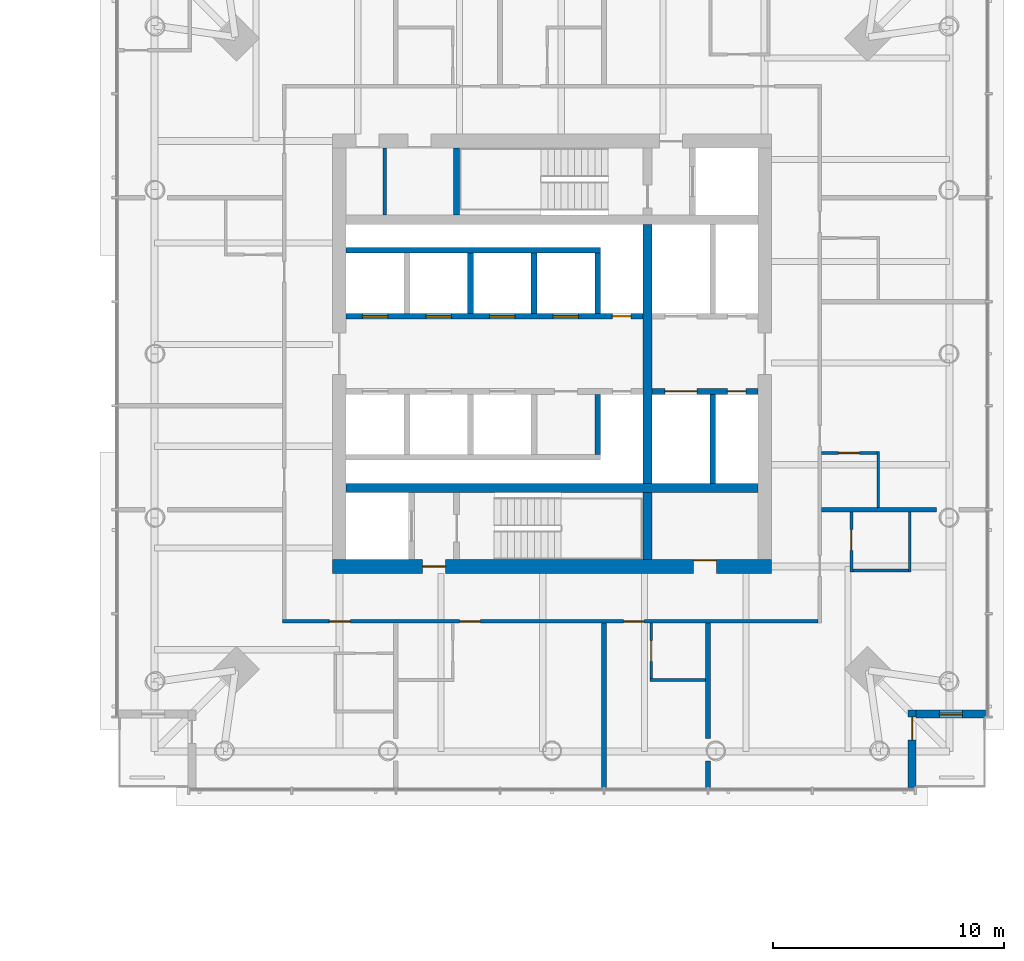
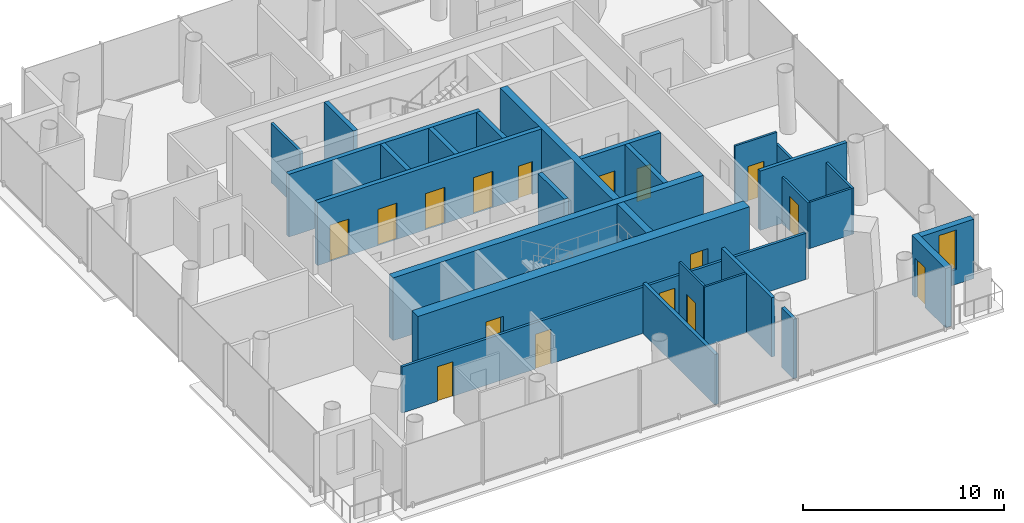
# One storey, part 13 of 22: 28 walls, 16 doors, 1 window, 17 openings.
"""IFC4 building model written with IfcOpenShell, lengths in metres."""

from ifc_helpers import new_model, si_unit, direction, frame, frame_2d, origin, place, context, subcontext, project, spatial, rectangle, extrude, material, layer, layer_set, type_object, element, fill, save


model = new_model("IFC4")

# Units and contexts
model_context = context("Model", 3, precision=1e-05, world=origin(), true_north=direction((0.0, 1.0)))
body_context = subcontext(model_context, "Body", "Model", "MODEL_VIEW")
ifc_project = project(units=[si_unit("LENGTHUNIT", "METRE"), si_unit("AREAUNIT", "SQUARE_METRE"), si_unit("VOLUMEUNIT", "CUBIC_METRE"), si_unit("PLANEANGLEUNIT", "RADIAN"), si_unit("MASSUNIT", "GRAM", prefix="KILO")], contexts=[model_context])

# Site, building, storey
site_placement = place(None, origin())
site = spatial("IfcSite", under=ifc_project, at=site_placement, CompositionType="ELEMENT")
building_placement = place(site_placement, origin())
building = spatial("IfcBuilding", under=site, at=building_placement, Name="Ostroluk Exchange", CompositionType="ELEMENT")
storey_placement = place(building_placement, frame((0.0, 0.0, 62.800048828125)))
storey = spatial("IfcBuildingStorey", under=building, at=storey_placement, Name="L15", CompositionType="ELEMENT", Elevation=62.800048828125)

# Walls
ifc_material_1 = material(Name="Concrete blockwork", Category="masonry")
ifc_layer_1 = layer(ifc_material_1, 0.14990234375)
ifc_layer_set_1 = layer_set([ifc_layer_1], Name="Blockwork plant room wall 150")
wall_type_1 = type_object("IfcWallType", Name="Blockwork plant room wall 150", PredefinedType="SOLIDWALL", material=ifc_layer_set_1)
wall_1_placement = place(storey_placement, frame((109.77392578125, 52.0, 0.0), z_axis=(0.0, 0.0, 1.0), x_axis=(0.0, 1.0, 0.0)))
element("IfcWall", 1, at=wall_1_placement, inside=storey, type_object=wall_type_1, Name="Core room wall", PredefinedType="SOLIDWALL", context=body_context, shape_type="SweptSolid", body=[
    extrude(rectangle(XDim=2.89990234375, YDim=0.14990234375, at=frame_2d((1.449951171875, 0.0))), origin(), (0.0, 0.0, 1.0), 3.599853515625),
])
ifc_material_2 = material(Name="Concrete C50/60", Category="concrete")
ifc_layer_2 = layer(ifc_material_2, 0.39990234375)
ifc_layer_set_2 = layer_set([ifc_layer_2], Name="Core cross wall 400 C50/60")
wall_type_2 = type_object("IfcWallType", Name="Core cross wall 400 C50/60", PredefinedType="SHEAR", material=ifc_layer_set_2)
wall_2_placement = place(storey_placement, frame((108.10009765625, 40.199951171875, 0.0), z_axis=(0.0, 0.0, 1.0), x_axis=(1.0, 0.0, 0.0)))
element("IfcWall", 2, at=wall_2_placement, inside=storey, type_object=wall_type_2, Name="T2 core wall XS", PredefinedType="SHEAR", context=body_context, shape_type="SweptSolid", body=[
    extrude(rectangle(XDim=17.7998046875, YDim=0.39990234375, at=frame_2d((8.89990234375, 0.0))), origin(), (0.0, 0.0, 1.0), 3.800048828125),
])
wall_3_placement = place(storey_placement, frame((121.1298828125, 37.10009765625, 0.0), z_axis=(0.0, 0.0, 1.0), x_axis=(0.0, 1.0, 0.0)))
element("IfcWall", 3, at=wall_3_placement, inside=storey, type_object=wall_type_2, Name="T2 core wall YE1", PredefinedType="SHEAR", context=body_context, shape_type="SweptSolid", body=[
    extrude(rectangle(XDim=2.89990234375, YDim=0.39990234375, at=frame_2d((1.449951171875, 0.0))), origin(), (0.0, 0.0, 1.0), 3.800048828125),
])
wall_4_placement = place(storey_placement, frame((121.1298828125, 40.39990234375, 0.0), z_axis=(0.0, 0.0, 1.0), x_axis=(0.0, 1.0, 0.0)))
element("IfcWall", 4, at=wall_4_placement, inside=storey, type_object=wall_type_2, Name="T2 core wall YE2", PredefinedType="SHEAR", context=body_context, shape_type="SweptSolid", body=[
    extrude(rectangle(XDim=11.2001953125, YDim=0.39990234375, at=frame_2d((5.60009765625, 0.0))), origin(), (0.0, 0.0, 1.0), 3.800048828125),
])
ifc_material_3 = material(Name="Concrete C40/50", Category="concrete")
ifc_layer_3 = layer(ifc_material_3, 0.25)
ifc_layer_set_3 = layer_set([ifc_layer_3], Name="Core shaft wall 250")
wall_type_3 = type_object("IfcWallType", Name="Core shaft wall 250", PredefinedType="SHEAR", material=ifc_layer_set_3)
wall_5_placement = place(storey_placement, frame((112.875, 52.0, 0.0), z_axis=(0.0, 0.0, 1.0), x_axis=(0.0, 1.0, 0.0)))
element("IfcWall", 5, at=wall_5_placement, inside=storey, type_object=wall_type_3, Name="Stair shaft wall", PredefinedType="SHEAR", context=body_context, shape_type="SweptSolid", body=[
    extrude(rectangle(XDim=2.89990234375, YDim=0.25, at=frame_2d((1.449951171875, 0.0))), origin(), (0.0, 0.0, 1.0), 3.800048828125),
])
for number, where, z_axis, x_axis, name in (
    (6, (113.47509765625, 47.75, 0.0), (0.0, 0.0, 1.0), (0.0, 1.0, 0.0), "Lift shaft wall"),
    (7, (116.22509765625, 47.75, 0.0), (0.0, 0.0, 1.0), (0.0, 1.0, 0.0), "Lift shaft wall"),
    (8, (118.97509765625, 47.75, 0.0), (0.0, 0.0, 1.0), (0.0, 1.0, 0.0), "Lift shaft wall"),
):
    element("IfcWall", number, at=place(storey_placement, frame(where, z_axis=z_axis, x_axis=x_axis)), inside=storey, type_object=wall_type_3, Name=name, PredefinedType="SHEAR", context=body_context, shape_type="SweptSolid", body=[
        extrude(rectangle(XDim=2.60009765625, YDim=0.25, at=frame_2d((1.300048828125, 0.0))), origin(), (0.0, 0.0, 1.0), 3.800048828125),
    ])
wall_6_placement = place(storey_placement, frame((108.10009765625, 50.47509765625, 0.0), z_axis=(0.0, 0.0, 1.0), x_axis=(1.0, 0.0, 0.0)))
element("IfcWall", 9, at=wall_6_placement, inside=storey, type_object=wall_type_3, Name="Lift shaft wall", PredefinedType="SHEAR", context=body_context, shape_type="SweptSolid", body=[
    extrude(rectangle(XDim=11.0, YDim=0.25, at=frame_2d((5.5, 0.0))), origin(), (0.0, 0.0, 1.0), 3.800048828125),
])

# Wall, openings, doors
wall_7_placement = place(storey_placement, frame((108.10009765625, 47.625, 0.0), z_axis=(0.0, 0.0, 1.0), x_axis=(1.0, 0.0, 0.0)))
wall_7 = element("IfcWall", 10, at=wall_7_placement, inside=storey, type_object=wall_type_3, Name="Lift shaft front wall", PredefinedType="SHEAR", context=body_context, shape_type="SweptSolid", body=[
    extrude(rectangle(XDim=12.829833984375, YDim=0.25, at=frame_2d((6.4150390625, 0.0))), origin(), (0.0, 0.0, 1.0), 3.800048828125),
])
opening_1_placement = place(wall_7_placement, frame((0.699951171875, 0.0, 0.0)))
opening_1 = element("IfcOpeningElement", 11, at=opening_1_placement, cuts=wall_7, Name="Opening LD", PredefinedType="OPENING", context=body_context, shape_type="SweptSolid", body=[
    extrude(rectangle(XDim=1.10009765625, YDim=2.199951171875, at=frame_2d((0.550048828125, 1.10009765625))), frame((0.0, 0.135009765625, 0.0), z_axis=(0.0, -1.0, 0.0), x_axis=(1.0, 0.0, 0.0)), (0.0, 0.0, 1.0), 0.27001953125),
])
opening_2_placement = place(wall_7_placement, frame((3.449951171875, 0.0, 0.0)))
opening_2 = element("IfcOpeningElement", 12, at=opening_2_placement, cuts=wall_7, Name="Opening LD", PredefinedType="OPENING", context=body_context, shape_type="SweptSolid", body=[
    extrude(rectangle(XDim=1.10009765625, YDim=2.199951171875, at=frame_2d((0.550048828125, 1.10009765625))), frame((0.0, 0.135009765625, 0.0), z_axis=(0.0, -1.0, 0.0), x_axis=(1.0, 0.0, 0.0)), (0.0, 0.0, 1.0), 0.27001953125),
])
opening_3_placement = place(wall_7_placement, frame((6.199951171875, 0.0, 0.0)))
opening_3 = element("IfcOpeningElement", 13, at=opening_3_placement, cuts=wall_7, Name="Opening LD", PredefinedType="OPENING", context=body_context, shape_type="SweptSolid", body=[
    extrude(rectangle(XDim=1.10009765625, YDim=2.199951171875, at=frame_2d((0.550048828125, 1.10009765625))), frame((0.0, 0.135009765625, 0.0), z_axis=(0.0, -1.0, 0.0), x_axis=(1.0, 0.0, 0.0)), (0.0, 0.0, 1.0), 0.27001953125),
])
opening_4_placement = place(wall_7_placement, frame((8.949951171875, 0.0, 0.0)))
opening_4 = element("IfcOpeningElement", 14, at=opening_4_placement, cuts=wall_7, Name="Opening LD", PredefinedType="OPENING", context=body_context, shape_type="SweptSolid", body=[
    extrude(rectangle(XDim=1.10009765625, YDim=2.199951171875, at=frame_2d((0.550048828125, 1.10009765625))), frame((0.0, 0.135009765625, 0.0), z_axis=(0.0, -1.0, 0.0), x_axis=(1.0, 0.0, 0.0)), (0.0, 0.0, 1.0), 0.27001953125),
])
opening_5_placement = place(wall_7_placement, frame((11.514892578125, 0.0, 0.0)))
opening_5 = element("IfcOpeningElement", 15, at=opening_5_placement, cuts=wall_7, Name="Opening RD60", PredefinedType="OPENING", context=body_context, shape_type="SweptSolid", body=[
    extrude(rectangle(XDim=0.800048828125, YDim=2.0, at=frame_2d((0.39990234375, 1.0))), frame((0.0, 0.135009765625, 0.0), z_axis=(0.0, -1.0, 0.0), x_axis=(1.0, 0.0, 0.0)), (0.0, 0.0, 1.0), 0.27001953125),
])
ifc_material_4 = material(Name="Stainless steel", Category="steel")
door_type_1 = type_object("IfcDoorType", Name="Lift landing door E 60 1100 x 2200", OperationType="DOUBLE_DOOR_SLIDING", PredefinedType="DOOR", material=ifc_material_4)
door_1_placement = place(opening_1_placement, origin())
door_1 = element("IfcDoor", 16, at=door_1_placement, inside=storey, type_object=door_type_1, Name="Lift HL1 landing door", OperationType="DOUBLE_DOOR_SLIDING", OverallHeight=2.199951171875, OverallWidth=1.10009765625, PredefinedType="DOOR", context=body_context, shape_type="SweptSolid", body=[
    extrude(rectangle(XDim=1.10009765625, YDim=2.199951171875, at=frame_2d((0.550048828125, 1.10009765625))), frame((0.0, 0.02490234375, 0.0), z_axis=(0.0, -1.0, 0.0), x_axis=(1.0, 0.0, 0.0)), (0.0, 0.0, 1.0), 0.050048828125),
])
fill(opening_1, door_1)
door_2_placement = place(opening_2_placement, origin())
door_2 = element("IfcDoor", 17, at=door_2_placement, inside=storey, type_object=door_type_1, Name="Lift HL2 landing door", OperationType="DOUBLE_DOOR_SLIDING", OverallHeight=2.199951171875, OverallWidth=1.10009765625, PredefinedType="DOOR", context=body_context, shape_type="SweptSolid", body=[
    extrude(rectangle(XDim=1.10009765625, YDim=2.199951171875, at=frame_2d((0.550048828125, 1.10009765625))), frame((0.0, 0.02490234375, 0.0), z_axis=(0.0, -1.0, 0.0), x_axis=(1.0, 0.0, 0.0)), (0.0, 0.0, 1.0), 0.050048828125),
])
fill(opening_2, door_2)
door_3_placement = place(opening_3_placement, origin())
door_3 = element("IfcDoor", 18, at=door_3_placement, inside=storey, type_object=door_type_1, Name="Lift HL3 landing door", OperationType="DOUBLE_DOOR_SLIDING", OverallHeight=2.199951171875, OverallWidth=1.10009765625, PredefinedType="DOOR", context=body_context, shape_type="SweptSolid", body=[
    extrude(rectangle(XDim=1.10009765625, YDim=2.199951171875, at=frame_2d((0.550048828125, 1.10009765625))), frame((0.0, 0.02490234375, 0.0), z_axis=(0.0, -1.0, 0.0), x_axis=(1.0, 0.0, 0.0)), (0.0, 0.0, 1.0), 0.050048828125),
])
fill(opening_3, door_3)
door_4_placement = place(opening_4_placement, origin())
door_4 = element("IfcDoor", 19, at=door_4_placement, inside=storey, type_object=door_type_1, Name="Lift HL4 landing door", OperationType="DOUBLE_DOOR_SLIDING", OverallHeight=2.199951171875, OverallWidth=1.10009765625, PredefinedType="DOOR", context=body_context, shape_type="SweptSolid", body=[
    extrude(rectangle(XDim=1.10009765625, YDim=2.199951171875, at=frame_2d((0.550048828125, 1.10009765625))), frame((0.0, 0.02490234375, 0.0), z_axis=(0.0, -1.0, 0.0), x_axis=(1.0, 0.0, 0.0)), (0.0, 0.0, 1.0), 0.050048828125),
])
fill(opening_4, door_4)
ifc_material_5 = material(Name="Steel", Category="steel")
door_type_2 = type_object("IfcDoorType", Name="Riser access door EI 60 800 x 2000", OperationType="SINGLE_SWING_LEFT", PredefinedType="DOOR", material=ifc_material_5)
door_5_placement = place(opening_5_placement, origin())
door_5 = element("IfcDoor", 20, at=door_5_placement, inside=storey, type_object=door_type_2, Name="Riser access door", OperationType="SINGLE_SWING_RIGHT", OverallHeight=2.0, OverallWidth=0.800048828125, PredefinedType="DOOR", context=body_context, shape_type="SweptSolid", body=[
    extrude(rectangle(XDim=0.800048828125, YDim=2.0, at=frame_2d((0.39990234375, 1.0))), frame((0.0, 0.02490234375, 0.0), z_axis=(0.0, -1.0, 0.0), x_axis=(1.0, 0.0, 0.0)), (0.0, 0.0, 1.0), 0.050048828125),
])
fill(opening_5, door_5)

# Walls
wall_8_placement = place(storey_placement, frame((118.97509765625, 44.25, 0.0), z_axis=(0.0, 0.0, 1.0), x_axis=(0.0, -1.0, 0.0)))
element("IfcWall", 21, at=wall_8_placement, inside=storey, type_object=wall_type_3, Name="Lift shaft wall", PredefinedType="SHEAR", context=body_context, shape_type="SweptSolid", body=[
    extrude(rectangle(XDim=2.60009765625, YDim=0.25, at=frame_2d((1.300048828125, 0.0))), origin(), (0.0, 0.0, 1.0), 3.800048828125),
])
wall_9_placement = place(storey_placement, frame((123.955078125, 44.25, 0.0), z_axis=(0.0, 0.0, 1.0), x_axis=(0.0, -1.0, 0.0)))
element("IfcWall", 22, at=wall_9_placement, inside=storey, type_object=wall_type_3, Name="Lift shaft wall", PredefinedType="SHEAR", context=body_context, shape_type="SweptSolid", body=[
    extrude(rectangle(XDim=3.85009765625, YDim=0.25, at=frame_2d((1.925048828125, 0.0))), origin(), (0.0, 0.0, 1.0), 3.800048828125),
])

# Wall, openings, doors
wall_10_placement = place(storey_placement, frame((121.330078125, 44.375, 0.0), z_axis=(0.0, 0.0, 1.0), x_axis=(1.0, 0.0, 0.0)))
wall_10 = element("IfcWall", 23, at=wall_10_placement, inside=storey, type_object=wall_type_3, Name="Lift shaft front wall", PredefinedType="SHEAR", context=body_context, shape_type="SweptSolid", body=[
    extrude(rectangle(XDim=4.56982421875, YDim=0.25, at=frame_2d((2.284912109375, 0.0))), origin(), (0.0, 0.0, 1.0), 3.800048828125),
])
opening_6_placement = place(wall_10_placement, frame((0.550048828125, 0.0, 0.0)))
opening_6 = element("IfcOpeningElement", 24, at=opening_6_placement, cuts=wall_10, Name="Opening LD3", PredefinedType="OPENING", context=body_context, shape_type="SweptSolid", body=[
    extrude(rectangle(XDim=1.39990234375, YDim=2.39990234375, at=frame_2d((0.699951171875, 1.199951171875))), frame((0.0, 0.135009765625, 0.0), z_axis=(0.0, -1.0, 0.0), x_axis=(1.0, 0.0, 0.0)), (0.0, 0.0, 1.0), 0.27001953125),
])
opening_7_placement = place(wall_10_placement, frame((3.260009765625, 0.0, 0.0)))
opening_7 = element("IfcOpeningElement", 25, at=opening_7_placement, cuts=wall_10, Name="Opening RD60", PredefinedType="OPENING", context=body_context, shape_type="SweptSolid", body=[
    extrude(rectangle(XDim=0.800048828125, YDim=2.0, at=frame_2d((0.39990234375, 1.0))), frame((0.0, 0.135009765625, 0.0), z_axis=(0.0, -1.0, 0.0), x_axis=(1.0, 0.0, 0.0)), (0.0, 0.0, 1.0), 0.27001953125),
])
ifc_material_6 = material(Name="Stainless steel", Category="steel")
door_type_3 = type_object("IfcDoorType", Name="Goods lift landing door E 60 1400 x 2400", OperationType="DOUBLE_DOOR_SLIDING", PredefinedType="DOOR", material=ifc_material_6)
door_6_placement = place(opening_6_placement, origin())
door_6 = element("IfcDoor", 26, at=door_6_placement, inside=storey, type_object=door_type_3, Name="Lift HS2 landing door", OperationType="DOUBLE_DOOR_SLIDING", OverallHeight=2.39990234375, OverallWidth=1.39990234375, PredefinedType="DOOR", context=body_context, shape_type="SweptSolid", body=[
    extrude(rectangle(XDim=1.39990234375, YDim=2.39990234375, at=frame_2d((0.699951171875, 1.199951171875))), frame((0.0, 0.02490234375, 0.0), z_axis=(0.0, -1.0, 0.0), x_axis=(1.0, 0.0, 0.0)), (0.0, 0.0, 1.0), 0.050048828125),
])
fill(opening_6, door_6)
door_7_placement = place(opening_7_placement, origin())
door_7 = element("IfcDoor", 27, at=door_7_placement, inside=storey, type_object=door_type_2, Name="Riser access door", OperationType="SINGLE_SWING_RIGHT", OverallHeight=2.0, OverallWidth=0.800048828125, PredefinedType="DOOR", context=body_context, shape_type="SweptSolid", body=[
    extrude(rectangle(XDim=0.800048828125, YDim=2.0, at=frame_2d((0.39990234375, 1.0))), frame((0.0, 0.02490234375, 0.0), z_axis=(0.0, -1.0, 0.0), x_axis=(1.0, 0.0, 0.0)), (0.0, 0.0, 1.0), 0.050048828125),
])
fill(opening_7, door_7)

ifc_material_7 = material(Name="Concrete C50/60", Category="concrete")
ifc_layer_4 = layer(ifc_material_7, 0.60009765625)
ifc_layer_set_4 = layer_set([ifc_layer_4], Name="Core wall 600 C50/60")
wall_type_4 = type_object("IfcWallType", Name="Core wall 600 C50/60", PredefinedType="SHEAR", material=ifc_layer_set_4)
wall_11_placement = place(storey_placement, frame((107.5, 36.800048828125, 0.0), z_axis=(0.0, 0.0, 1.0), x_axis=(1.0, 0.0, 0.0)))
wall_11 = element("IfcWall", 28, at=wall_11_placement, inside=storey, type_object=wall_type_4, Name="T2 core wall S", PredefinedType="SHEAR", context=body_context, shape_type="SweptSolid", body=[
    extrude(rectangle(XDim=19.0, YDim=0.60009765625, at=frame_2d((9.5, 0.0))), origin(), (0.0, 0.0, 1.0), 3.800048828125),
])
opening_8_placement = place(wall_11_placement, frame((3.89990234375, 0.0, 0.0)))
opening_8 = element("IfcOpeningElement", 29, at=opening_8_placement, cuts=wall_11, Name="Opening FD60", PredefinedType="OPENING", context=body_context, shape_type="SweptSolid", body=[
    extrude(rectangle(XDim=1.0, YDim=2.10009765625, at=frame_2d((0.5, 1.050048828125))), frame((0.0, 0.31005859375, 0.0), z_axis=(0.0, -1.0, 0.0), x_axis=(1.0, 0.0, 0.0)), (0.0, 0.0, 1.0), 0.6201171875),
])
opening_9_placement = place(wall_11_placement, frame((15.614990234375, 0.0, 0.0)))
opening_9 = element("IfcOpeningElement", 30, at=opening_9_placement, cuts=wall_11, Name="Opening FD60", PredefinedType="OPENING", context=body_context, shape_type="SweptSolid", body=[
    extrude(rectangle(XDim=1.0, YDim=2.10009765625, at=frame_2d((0.5, 1.050048828125))), frame((0.0, 0.31005859375, 0.0), z_axis=(0.0, -1.0, 0.0), x_axis=(1.0, 0.0, 0.0)), (0.0, 0.0, 1.0), 0.6201171875),
])
ifc_material_8 = material(Name="Steel", Category="steel")
door_type_4 = type_object("IfcDoorType", Name="Fire door EI 60 1000 x 2100", OperationType="SINGLE_SWING_LEFT", PredefinedType="DOOR", material=ifc_material_8)
door_8_placement = place(opening_8_placement, origin())
door_8 = element("IfcDoor", 31, at=door_8_placement, inside=storey, type_object=door_type_4, Name="Firefighting lobby door", OperationType="SINGLE_SWING_LEFT", OverallHeight=2.10009765625, OverallWidth=1.0, PredefinedType="DOOR", context=body_context, shape_type="SweptSolid", body=[
    extrude(rectangle(XDim=1.0, YDim=2.10009765625, at=frame_2d((0.5, 1.050048828125))), frame((0.0, 0.02490234375, 0.0), z_axis=(0.0, -1.0, 0.0), x_axis=(1.0, 0.0, 0.0)), (0.0, 0.0, 1.0), 0.050048828125),
])
fill(opening_8, door_8)
door_9_placement = place(opening_9_placement, origin())
door_9 = element("IfcDoor", 32, at=door_9_placement, inside=storey, type_object=door_type_4, Name="Room-service pantry door", OperationType="SINGLE_SWING_RIGHT", OverallHeight=2.10009765625, OverallWidth=1.0, PredefinedType="DOOR", context=body_context, shape_type="SweptSolid", body=[
    extrude(rectangle(XDim=1.0, YDim=2.10009765625, at=frame_2d((0.5, 1.050048828125))), frame((0.0, 0.2900390625, 0.0), z_axis=(0.0, -1.0, 0.0), x_axis=(1.0, 0.0, 0.0)), (0.0, 0.0, 1.0), 0.050048828125),
])
fill(opening_9, door_9)

# Wall, opening, door
ifc_material_9 = material(Name="Limestone", Category="masonry")
ifc_layer_5 = layer(ifc_material_9, 0.35009765625)
ifc_layer_set_5 = layer_set([ifc_layer_5], Name="Limestone facade wall 350")
wall_type_5 = type_object("IfcWallType", Name="Limestone facade wall 350", PredefinedType="SOLIDWALL", material=ifc_layer_set_5)
wall_12_placement = place(storey_placement, frame((132.574951171875, 27.25, 0.0), z_axis=(0.0, 0.0, 1.0), x_axis=(0.0, 1.0, 0.0)))
wall_12 = element("IfcWall", 33, at=wall_12_placement, inside=storey, type_object=wall_type_5, Name="Hotel tower SE corner wall L15 a", PredefinedType="SOLIDWALL", context=body_context, shape_type="SweptSolid", body=[
    extrude(rectangle(XDim=3.35009765625, YDim=0.35009765625, at=frame_2d((1.675048828125, 0.0))), origin(), (0.0, 0.0, 1.0), 3.599853515625),
])
opening_10_placement = place(wall_12_placement, frame((2.050048828125, 0.0, 0.0)))
opening_10 = element("IfcOpeningElement", 34, at=opening_10_placement, cuts=wall_12, Name="Opening D-B1", PredefinedType="OPENING", context=body_context, shape_type="SweptSolid", body=[
    extrude(rectangle(XDim=1.0, YDim=2.39990234375, at=frame_2d((0.5, 1.199951171875))), frame((0.0, 0.18505859375, 0.0), z_axis=(0.0, -1.0, 0.0), x_axis=(1.0, 0.0, 0.0)), (0.0, 0.0, 1.0), 0.3701171875),
])
ifc_material_10 = material(Name="Bronze framed glazed door", Category="aluminium")
door_type_5 = type_object("IfcDoorType", Name="Balcony door 1000 x 2400", OperationType="SINGLE_SWING_LEFT", PredefinedType="DOOR", material=ifc_material_10)
door_10_placement = place(opening_10_placement, origin())
door_10 = element("IfcDoor", 35, at=door_10_placement, inside=storey, type_object=door_type_5, Name="Hotel tower SE balcony door L15", OperationType="SINGLE_SWING_RIGHT", OverallHeight=2.39990234375, OverallWidth=1.0, PredefinedType="DOOR", context=body_context, shape_type="SweptSolid", body=[
    extrude(rectangle(XDim=1.0, YDim=2.39990234375, at=frame_2d((0.5, 1.199951171875))), frame((0.0, 0.02490234375, 0.0), z_axis=(0.0, -1.0, 0.0), x_axis=(1.0, 0.0, 0.0)), (0.0, 0.0, 1.0), 0.050048828125),
])
fill(opening_10, door_10)

# Wall, opening, window
wall_13_placement = place(storey_placement, frame((132.75, 30.425048828125, 0.0), z_axis=(0.0, 0.0, 1.0), x_axis=(1.0, 0.0, 0.0)))
wall_13 = element("IfcWall", 36, at=wall_13_placement, inside=storey, type_object=wall_type_5, Name="Hotel tower SE corner wall L15 b", PredefinedType="SOLIDWALL", context=body_context, shape_type="SweptSolid", body=[
    extrude(rectangle(XDim=3.0, YDim=0.35009765625, at=frame_2d((1.5, 0.0))), origin(), (0.0, 0.0, 1.0), 3.599853515625),
])
opening_11_placement = place(wall_13_placement, frame((1.0, 0.0, 0.89990234375)))
opening_11 = element("IfcOpeningElement", 37, at=opening_11_placement, cuts=wall_13, Name="Opening WN-L3", PredefinedType="OPENING", context=body_context, shape_type="SweptSolid", body=[
    extrude(rectangle(XDim=1.0, YDim=2.39990234375, at=frame_2d((0.5, 1.199951171875))), frame((0.0, 0.18505859375, 0.0), z_axis=(0.0, -1.0, 0.0), x_axis=(1.0, 0.0, 0.0)), (0.0, 0.0, 1.0), 0.3701171875),
])
ifc_material_11 = material(Name="Laminated clear glass", Category="glass")
window_type = type_object("IfcWindowType", Name="Hotel lancet window 1000 x 2400", PartitioningType="SINGLE_PANEL", PredefinedType="WINDOW", material=ifc_material_11)
window_placement = place(opening_11_placement, origin())
window = element("IfcWindow", 38, at=window_placement, inside=storey, type_object=window_type, Name="Hotel tower SE lancet window L15", OverallHeight=2.39990234375, OverallWidth=1.0, PartitioningType="SINGLE_PANEL", PredefinedType="WINDOW", context=body_context, shape_type="SweptSolid", body=[
    extrude(rectangle(XDim=1.0, YDim=2.39990234375, at=frame_2d((0.5, 1.199951171875))), frame((0.0, 0.030029296875, 0.0), z_axis=(0.0, -1.0, 0.0), x_axis=(1.0, 0.0, 0.0)), (0.0, 0.0, 1.0), 0.06005859375),
])
fill(opening_11, window)

# Wall, opening, door
ifc_material_12 = material(Name="Gypsum plasterboard partition, moisture resistant", Category="gypsum")
ifc_layer_6 = layer(ifc_material_12, 0.1201171875)
ifc_layer_set_6 = layer_set([ifc_layer_6], Name="Plasterboard en-suite wall 120")
wall_type_6 = type_object("IfcWallType", Name="Plasterboard en-suite wall 120", PredefinedType="PARTITIONING", material=ifc_layer_set_6)
wall_14_placement = place(storey_placement, frame((129.949951171875, 39.14990234375, 0.0), z_axis=(0.0, 0.0, 1.0), x_axis=(0.0, -1.0, 0.0)))
wall_14 = element("IfcWall", 39, at=wall_14_placement, inside=storey, type_object=wall_type_6, Name="En-suite wall", PredefinedType="PARTITIONING", context=body_context, shape_type="SweptSolid", body=[
    extrude(rectangle(XDim=2.579833984375, YDim=0.1201171875, at=frame_2d((1.2900390625, 0.0))), origin(), (0.0, 0.0, 1.0), 2.800048828125),
])
opening_12_placement = place(wall_14_placement, frame((0.75, 0.0, 0.0)))
opening_12 = element("IfcOpeningElement", 40, at=opening_12_placement, cuts=wall_14, Name="Opening D-02", PredefinedType="OPENING", context=body_context, shape_type="SweptSolid", body=[
    extrude(rectangle(XDim=0.89990234375, YDim=2.10009765625, at=frame_2d((0.449951171875, 1.050048828125))), frame((0.0, 0.070068359375, 0.0), z_axis=(0.0, -1.0, 0.0), x_axis=(1.0, 0.0, 0.0)), (0.0, 0.0, 1.0), 0.14013671875),
])
ifc_material_13 = material(Name="Timber", Category="wood")
door_type_6 = type_object("IfcDoorType", Name="En-suite door 900 x 2100", OperationType="SINGLE_SWING_LEFT", PredefinedType="DOOR", material=ifc_material_13)
door_11_placement = place(opening_12_placement, origin())
door_11 = element("IfcDoor", 41, at=door_11_placement, inside=storey, type_object=door_type_6, Name="En-suite door 1501", OperationType="SINGLE_SWING_LEFT", OverallHeight=2.10009765625, OverallWidth=0.89990234375, PredefinedType="DOOR", context=body_context, shape_type="SweptSolid", body=[
    extrude(rectangle(XDim=0.89990234375, YDim=2.10009765625, at=frame_2d((0.449951171875, 1.050048828125))), frame((0.0, 0.02490234375, 0.0), z_axis=(0.0, -1.0, 0.0), x_axis=(1.0, 0.0, 0.0)), (0.0, 0.0, 1.0), 0.050048828125),
])
fill(opening_12, door_11)

# Walls
wall_15_placement = place(storey_placement, frame((132.469970703125, 39.14990234375, 0.0), z_axis=(0.0, 0.0, 1.0), x_axis=(0.0, -1.0, 0.0)))
element("IfcWall", 42, at=wall_15_placement, inside=storey, type_object=wall_type_6, Name="En-suite wall", PredefinedType="PARTITIONING", context=body_context, shape_type="SweptSolid", body=[
    extrude(rectangle(XDim=2.579833984375, YDim=0.1201171875, at=frame_2d((1.2900390625, 0.0))), origin(), (0.0, 0.0, 1.0), 2.800048828125),
])
wall_16_placement = place(storey_placement, frame((130.010009765625, 36.6298828125, 0.0), z_axis=(0.0, 0.0, 1.0), x_axis=(1.0, 0.0, 0.0)))
element("IfcWall", 43, at=wall_16_placement, inside=storey, type_object=wall_type_6, Name="En-suite wall", PredefinedType="PARTITIONING", context=body_context, shape_type="SweptSolid", body=[
    extrude(rectangle(XDim=2.39990234375, YDim=0.1201171875, at=frame_2d((1.199951171875, 0.0))), origin(), (0.0, 0.0, 1.0), 2.800048828125),
])
wall_17_placement = place(storey_placement, frame((131.110107421875, 39.35009765625, 0.0), z_axis=(0.0, 0.0, 1.0), x_axis=(0.0, 1.0, 0.0)))
element("IfcWall", 44, at=wall_17_placement, inside=storey, type_object=wall_type_6, Name="En-suite wall", PredefinedType="PARTITIONING", context=body_context, shape_type="SweptSolid", body=[
    extrude(rectangle(XDim=2.419921875, YDim=0.1201171875, at=frame_2d((1.2099609375, 0.0))), origin(), (0.0, 0.0, 1.0), 2.846923828125),
])

# Wall, opening, door
wall_18_placement = place(storey_placement, frame((128.64990234375, 41.7099609375, 0.0), z_axis=(0.0, 0.0, 1.0), x_axis=(1.0, 0.0, 0.0)))
wall_18 = element("IfcWall", 45, at=wall_18_placement, inside=storey, type_object=wall_type_6, Name="En-suite wall", PredefinedType="PARTITIONING", context=body_context, shape_type="SweptSolid", body=[
    extrude(rectangle(XDim=2.400146484375, YDim=0.1201171875, at=frame_2d((1.2001953125, 0.0))), origin(), (0.0, 0.0, 1.0), 3.599853515625),
])
opening_13_placement = place(wall_18_placement, frame((0.75, 0.0, 0.0)))
opening_13 = element("IfcOpeningElement", 46, at=opening_13_placement, cuts=wall_18, Name="Opening D-02", PredefinedType="OPENING", context=body_context, shape_type="SweptSolid", body=[
    extrude(rectangle(XDim=0.89990234375, YDim=2.10009765625, at=frame_2d((0.449951171875, 1.050048828125))), frame((0.0, 0.070068359375, 0.0), z_axis=(0.0, -1.0, 0.0), x_axis=(1.0, 0.0, 0.0)), (0.0, 0.0, 1.0), 0.14013671875),
])
door_12_placement = place(opening_13_placement, origin())
door_12 = element("IfcDoor", 47, at=door_12_placement, inside=storey, type_object=door_type_6, Name="En-suite door 1502", OperationType="SINGLE_SWING_LEFT", OverallHeight=2.10009765625, OverallWidth=0.89990234375, PredefinedType="DOOR", context=body_context, shape_type="SweptSolid", body=[
    extrude(rectangle(XDim=0.89990234375, YDim=2.10009765625, at=frame_2d((0.449951171875, 1.050048828125))), frame((0.0, 0.02490234375, 0.0), z_axis=(0.0, -1.0, 0.0), x_axis=(1.0, 0.0, 0.0)), (0.0, 0.0, 1.0), 0.050048828125),
])
fill(opening_13, door_12)

# Wall
wall_19_placement = place(storey_placement, frame((121.22998046875, 31.889892578125, 0.0), z_axis=(0.0, 0.0, 1.0), x_axis=(1.0, 0.0, 0.0)))
element("IfcWall", 48, at=wall_19_placement, inside=storey, type_object=wall_type_6, Name="En-suite wall", PredefinedType="PARTITIONING", context=body_context, shape_type="SweptSolid", body=[
    extrude(rectangle(XDim=2.419921875, YDim=0.1201171875, at=frame_2d((1.2099609375, 0.0))), origin(), (0.0, 0.0, 1.0), 3.599853515625),
])

# Wall, opening, door
wall_20_placement = place(storey_placement, frame((121.2900390625, 34.35009765625, 0.0), z_axis=(0.0, 0.0, 1.0), x_axis=(0.0, -1.0, 0.0)))
wall_20 = element("IfcWall", 49, at=wall_20_placement, inside=storey, type_object=wall_type_6, Name="En-suite wall", PredefinedType="PARTITIONING", context=body_context, shape_type="SweptSolid", body=[
    extrude(rectangle(XDim=2.400146484375, YDim=0.1201171875, at=frame_2d((1.2001953125, 0.0))), origin(), (0.0, 0.0, 1.0), 3.599853515625),
])
opening_14_placement = place(wall_20_placement, frame((0.75, 0.0, 0.0)))
opening_14 = element("IfcOpeningElement", 50, at=opening_14_placement, cuts=wall_20, Name="Opening D-02", PredefinedType="OPENING", context=body_context, shape_type="SweptSolid", body=[
    extrude(rectangle(XDim=0.89990234375, YDim=2.10009765625, at=frame_2d((0.449951171875, 1.050048828125))), frame((0.0, 0.070068359375, 0.0), z_axis=(0.0, -1.0, 0.0), x_axis=(1.0, 0.0, 0.0)), (0.0, 0.0, 1.0), 0.14013671875),
])
door_13_placement = place(opening_14_placement, origin())
door_13 = element("IfcDoor", 51, at=door_13_placement, inside=storey, type_object=door_type_6, Name="En-suite door 1510", OperationType="SINGLE_SWING_LEFT", OverallHeight=2.10009765625, OverallWidth=0.89990234375, PredefinedType="DOOR", context=body_context, shape_type="SweptSolid", body=[
    extrude(rectangle(XDim=0.89990234375, YDim=2.10009765625, at=frame_2d((0.449951171875, 1.050048828125))), frame((0.0, 0.02490234375, 0.0), z_axis=(0.0, -1.0, 0.0), x_axis=(1.0, 0.0, 0.0)), (0.0, 0.0, 1.0), 0.050048828125),
])
fill(opening_14, door_13)

# Wall, openings, doors
ifc_material_14 = material(Name="Gypsum plasterboard partition", Category="gypsum")
ifc_layer_7 = layer(ifc_material_14, 0.14990234375)
ifc_layer_set_7 = layer_set([ifc_layer_7], Name="Plasterboard partition 150")
wall_type_7 = type_object("IfcWallType", Name="Plasterboard partition 150", PredefinedType="PARTITIONING", material=ifc_layer_set_7)
wall_21_placement = place(storey_placement, frame((105.35009765625, 34.425048828125, 0.0), z_axis=(0.0, 0.0, 1.0), x_axis=(1.0, 0.0, 0.0)))
wall_21 = element("IfcWall", 52, at=wall_21_placement, inside=storey, type_object=wall_type_7, Name="Corridor wall", PredefinedType="PARTITIONING", context=body_context, shape_type="SweptSolid", body=[
    extrude(rectangle(XDim=23.14990234375, YDim=0.14990234375, at=frame_2d((11.574951171875, 0.0))), origin(), (0.0, 0.0, 1.0), 2.800048828125),
])
opening_15_placement = place(wall_21_placement, frame((2.02490234375, 0.0, 0.0)))
opening_15 = element("IfcOpeningElement", 53, at=opening_15_placement, cuts=wall_21, Name="Opening D-01", PredefinedType="OPENING", context=body_context, shape_type="SweptSolid", body=[
    extrude(rectangle(XDim=0.89990234375, YDim=2.10009765625, at=frame_2d((0.449951171875, 1.050048828125))), frame((0.0, 0.0849609375, 0.0), z_axis=(0.0, -1.0, 0.0), x_axis=(1.0, 0.0, 0.0)), (0.0, 0.0, 1.0), 0.169921875),
])
opening_16_placement = place(wall_21_placement, frame((7.64990234375, 0.0, 0.0)))
opening_16 = element("IfcOpeningElement", 54, at=opening_16_placement, cuts=wall_21, Name="Opening D-01", PredefinedType="OPENING", context=body_context, shape_type="SweptSolid", body=[
    extrude(rectangle(XDim=0.89990234375, YDim=2.10009765625, at=frame_2d((0.449951171875, 1.050048828125))), frame((0.0, 0.0849609375, 0.0), z_axis=(0.0, -1.0, 0.0), x_axis=(1.0, 0.0, 0.0)), (0.0, 0.0, 1.0), 0.169921875),
])
opening_17_placement = place(wall_21_placement, frame((14.75, 0.0, 0.0)))
opening_17 = element("IfcOpeningElement", 55, at=opening_17_placement, cuts=wall_21, Name="Opening D-01", PredefinedType="OPENING", context=body_context, shape_type="SweptSolid", body=[
    extrude(rectangle(XDim=0.89990234375, YDim=2.10009765625, at=frame_2d((0.449951171875, 1.050048828125))), frame((0.0, 0.0849609375, 0.0), z_axis=(0.0, -1.0, 0.0), x_axis=(1.0, 0.0, 0.0)), (0.0, 0.0, 1.0), 0.169921875),
])
ifc_material_15 = material(Name="Timber", Category="wood")
door_type_7 = type_object("IfcDoorType", Name="Hotel room door EI 30 Sa 900 x 2100", OperationType="SINGLE_SWING_LEFT", PredefinedType="DOOR", material=ifc_material_15)
door_14_placement = place(opening_15_placement, origin())
door_14 = element("IfcDoor", 56, at=door_14_placement, inside=storey, type_object=door_type_7, Name="Room door 1508", OperationType="SINGLE_SWING_LEFT", OverallHeight=2.10009765625, OverallWidth=0.89990234375, PredefinedType="DOOR", context=body_context, shape_type="SweptSolid", body=[
    extrude(rectangle(XDim=0.89990234375, YDim=2.10009765625, at=frame_2d((0.449951171875, 1.050048828125))), frame((0.0, 0.02490234375, 0.0), z_axis=(0.0, -1.0, 0.0), x_axis=(1.0, 0.0, 0.0)), (0.0, 0.0, 1.0), 0.050048828125),
])
fill(opening_15, door_14)
door_15_placement = place(opening_16_placement, origin())
door_15 = element("IfcDoor", 57, at=door_15_placement, inside=storey, type_object=door_type_7, Name="Room door 1509", OperationType="SINGLE_SWING_LEFT", OverallHeight=2.10009765625, OverallWidth=0.89990234375, PredefinedType="DOOR", context=body_context, shape_type="SweptSolid", body=[
    extrude(rectangle(XDim=0.89990234375, YDim=2.10009765625, at=frame_2d((0.449951171875, 1.050048828125))), frame((0.0, 0.02490234375, 0.0), z_axis=(0.0, -1.0, 0.0), x_axis=(1.0, 0.0, 0.0)), (0.0, 0.0, 1.0), 0.050048828125),
])
fill(opening_16, door_15)
door_16_placement = place(opening_17_placement, origin())
door_16 = element("IfcDoor", 58, at=door_16_placement, inside=storey, type_object=door_type_7, Name="Room door 1510", OperationType="SINGLE_SWING_RIGHT", OverallHeight=2.10009765625, OverallWidth=0.89990234375, PredefinedType="DOOR", context=body_context, shape_type="SweptSolid", body=[
    extrude(rectangle(XDim=0.89990234375, YDim=2.10009765625, at=frame_2d((0.449951171875, 1.050048828125))), frame((0.0, 0.02490234375, 0.0), z_axis=(0.0, -1.0, 0.0), x_axis=(1.0, 0.0, 0.0)), (0.0, 0.0, 1.0), 0.050048828125),
])
fill(opening_17, door_16)

# Walls
ifc_material_16 = material(Name="Gypsum plasterboard partition", Category="gypsum")
ifc_layer_8 = layer(ifc_material_16, 0.199951171875)
ifc_layer_set_8 = layer_set([ifc_layer_8], Name="Plasterboard party wall 200")
wall_type_8 = type_object("IfcWallType", Name="Plasterboard party wall 200", PredefinedType="PARTITIONING", material=ifc_layer_set_8)
wall_22_placement = place(storey_placement, frame((128.64990234375, 39.25, 0.0), z_axis=(0.0, 0.0, 1.0), x_axis=(1.0, 0.0, 0.0)))
element("IfcWall", 59, at=wall_22_placement, inside=storey, type_object=wall_type_8, Name="Party wall", PredefinedType="PARTITIONING", context=body_context, shape_type="SweptSolid", body=[
    extrude(rectangle(XDim=4.97802734375, YDim=0.199951171875, at=frame_2d((2.489013671875, 0.0))), origin(), (0.0, 0.0, 1.0), 3.599853515625),
])
wall_23_placement = place(storey_placement, frame((119.25, 34.35009765625, 0.0), z_axis=(0.0, 0.0, 1.0), x_axis=(0.0, -1.0, 0.0)))
element("IfcWall", 60, at=wall_23_placement, inside=storey, type_object=wall_type_8, Name="Party wall", PredefinedType="PARTITIONING", context=body_context, shape_type="SweptSolid", body=[
    extrude(rectangle(XDim=7.14013671875, YDim=0.199951171875, at=frame_2d((3.570068359375, 0.0))), origin(), (0.0, 0.0, 1.0), 3.050048828125),
])
wall_24_placement = place(storey_placement, frame((123.75, 34.35009765625, 0.0), z_axis=(0.0, 0.0, 1.0), x_axis=(0.0, -1.0, 0.0)))
element("IfcWall", 61, at=wall_24_placement, inside=storey, type_object=wall_type_8, Name="Party wall", PredefinedType="PARTITIONING", context=body_context, shape_type="SweptSolid", body=[
    extrude(rectangle(XDim=4.97802734375, YDim=0.199951171875, at=frame_2d((2.489013671875, 0.0))), origin(), (0.0, 0.0, 1.0), 3.599853515625),
])
wall_25_placement = place(storey_placement, frame((123.75, 28.395263671875, 0.0), z_axis=(0.0, 0.0, 1.0), x_axis=(0.0, -1.0, 0.0)))
element("IfcWall", 62, at=wall_25_placement, inside=storey, type_object=wall_type_8, Name="Party wall", PredefinedType="PARTITIONING", context=body_context, shape_type="SweptSolid", body=[
    extrude(rectangle(XDim=1.185302734375, YDim=0.199951171875, at=frame_2d((0.5927734375, 0.0))), origin(), (0.0, 0.0, 1.0), 3.599853515625),
])

save(model, "model.ifc")
